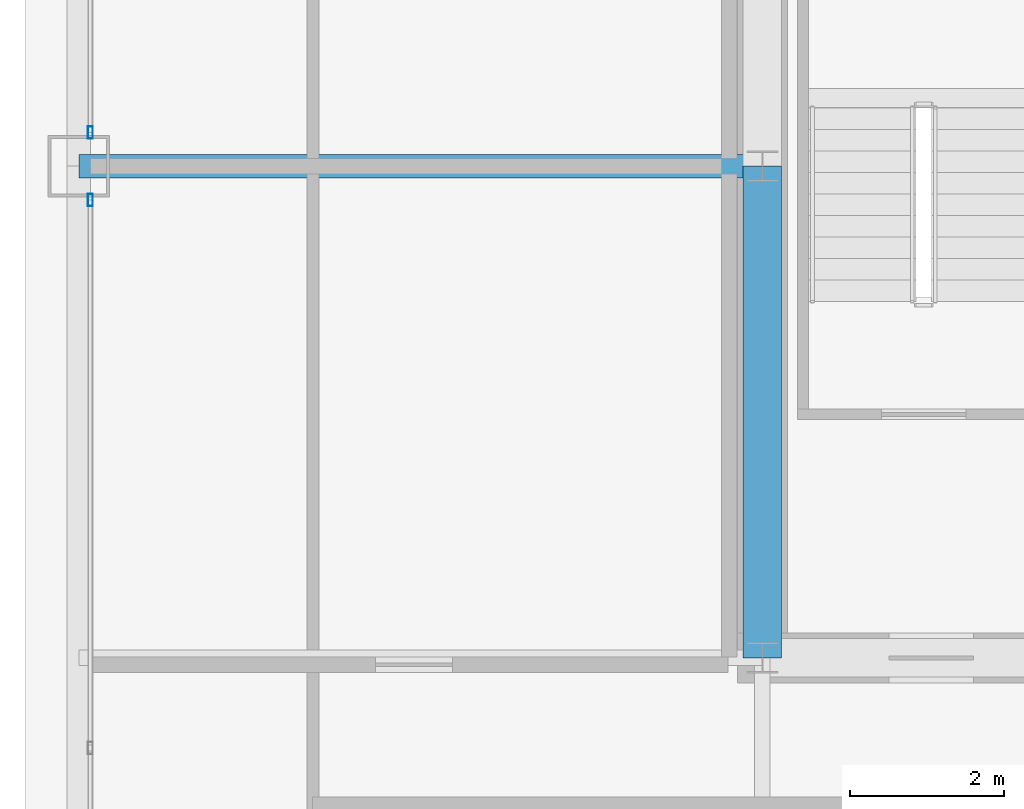
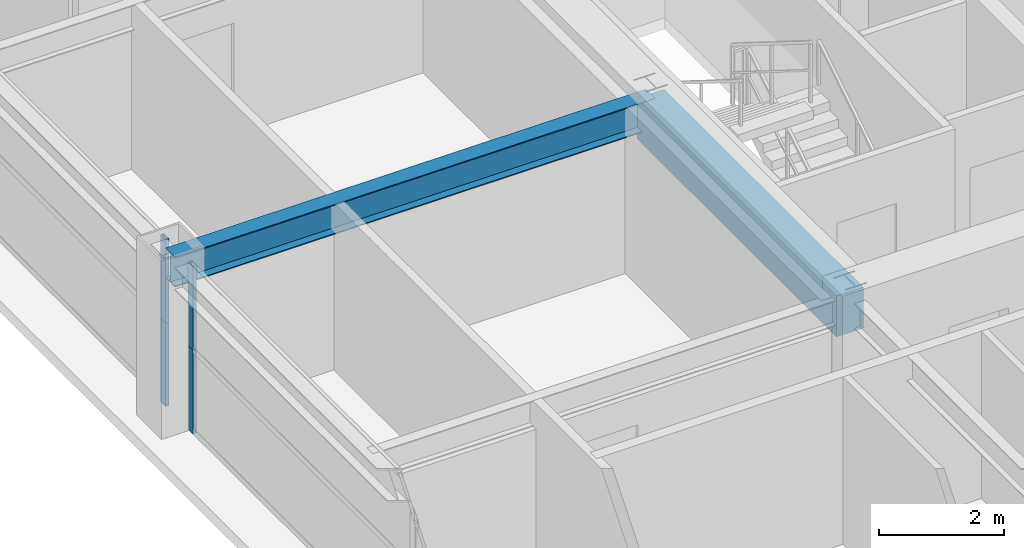
# One storey, part 12 of 38: 4 members, 2 beams, 2 elements without a shape of their own.
"""IFC4 building model written with IfcOpenShell, lengths in metres."""

from ifc_helpers import new_model, si_unit, direction, frame, origin, origin_2d, place, context, subcontext, project, spatial, rectangle, hollow_rectangle, i_section, extrude, source, transform, mapped, material, layer, layer_set, material_profile, profile_set, type_object, element, aggregate, save


model = new_model("IFC4")

# Units and contexts
model_context = context("Model", 3, precision=1e-05, world=origin(), true_north=direction((0.0, 1.0)))
body_context = subcontext(model_context, "Body", "Model", "MODEL_VIEW")
ifc_project = project(units=[si_unit("LENGTHUNIT", "METRE"), si_unit("AREAUNIT", "SQUARE_METRE"), si_unit("VOLUMEUNIT", "CUBIC_METRE"), si_unit("PLANEANGLEUNIT", "RADIAN"), si_unit("MASSUNIT", "GRAM", prefix="KILO"), si_unit("THERMODYNAMICTEMPERATUREUNIT", "KELVIN"), si_unit("POWERUNIT", "WATT")], contexts=[model_context])

# Site, building, storey
site_placement = place(None, origin())
site = spatial("IfcSite", under=ifc_project, at=site_placement, CompositionType="ELEMENT")
building_placement = place(site_placement, origin())
building = spatial("IfcBuilding", under=site, at=building_placement, Name="Yuzanri Waterfront Tower", CompositionType="ELEMENT")
storey_placement = place(building_placement, frame((0.0, 0.0, 195.0)))
storey = spatial("IfcBuildingStorey", under=building, at=storey_placement, Name="L51", CompositionType="ELEMENT", Elevation=195.0)

# Beams
ifc_material_1 = material(Name="Steel Q355B", Category="steel")
ifc_material_profile_1 = material_profile(ifc_material_1, i_section(OverallWidth=0.300048828125, OverallDepth=0.587890625, WebThickness=0.011962890625, FlangeThickness=0.02001953125, at=origin_2d()), Name="HM 588x300x12x20")
ifc_profile_set_1 = profile_set([ifc_material_profile_1], Name="Steel Q355B")
beam_type_1 = type_object("IfcBeamType", Name="Primary Floor Girder Q355B HM 588x300", PredefinedType="BEAM", material=ifc_profile_set_1)
shared_shape_1 = source(origin(), body_context, "Body", "SweptSolid", [
    extrude(i_section(OverallWidth=0.300048828125, OverallDepth=0.587890625, WebThickness=0.011962890625, FlangeThickness=0.02001953125, at=origin_2d()), origin(), (0.0, 0.0, 1.0), 8.900146484375),
])
beam_1_placement = place(storey_placement, frame((23.800048828125, 25.800048828125, 2.986083984375), z_axis=(-1.0, 0.0, 0.0), x_axis=(0.0, -1.0, 0.0)))
element("IfcBeam", 1, at=beam_1_placement, inside=storey, type_object=beam_type_1, Name="L51 West Grid Girder", PredefinedType="BEAM", context=body_context, shape_type="MappedRepresentation", body=[
    mapped(shared_shape_1, transform((0.0, 0.0, 0.0), scale=1.0)),
])
ifc_material_2 = material(Name="Concrete C50", Category="concrete")
ifc_material_profile_2 = material_profile(ifc_material_2, rectangle(XDim=0.5, YDim=0.800048828125, at=origin_2d()), Name="RC 500x800")
ifc_profile_set_2 = profile_set([ifc_material_profile_2], Name="Concrete C50")
beam_type_2 = type_object("IfcBeamType", Name="Core Coupling Lintel Concrete C50 500x800", PredefinedType="LINTEL", material=ifc_profile_set_2)
shared_shape_2 = source(origin(), body_context, "Body", "SweptSolid", [
    extrude(rectangle(XDim=0.5, YDim=0.800048828125, at=origin_2d()), origin(), (0.0, 0.0, 1.0), 6.400146484375),
])
beam_2_placement = place(storey_placement, frame((23.800048828125, 19.39990234375, 2.8798828125), z_axis=(0.0, 1.0, 0.0), x_axis=(-1.0, 0.0, 0.0)))
element("IfcBeam", 2, at=beam_2_placement, inside=storey, type_object=beam_type_2, Name="L51 Core Tie Beam CW1", PredefinedType="LINTEL", context=body_context, shape_type="MappedRepresentation", body=[
    mapped(shared_shape_2, transform((0.0, 0.0, 0.0), scale=1.0)),
])

# Curtain wall, members
ifc_material_3 = material(Name="Anodized Architectural Bronze", Category="metal")
ifc_layer = layer(ifc_material_3, 0.159912109375)
ifc_layer_set = layer_set([ifc_layer], Name="Anodized Architectural Bronze")
curtain_wall_type = type_object("IfcCurtainWallType", Name="Anodized Bronze Mid-Rise Residential Acoustic Unitized Curtain Wall 7200", PredefinedType="NOTDEFINED", material=ifc_layer_set)
curtain_wall_1_placement = place(storey_placement, origin())
curtain_wall_1 = element("IfcCurtainWall", 3, at=curtain_wall_1_placement, inside=storey, type_object=curtain_wall_type, Name="L51 Curtain Wall CW-L51-WL", PredefinedType="NOTDEFINED")
ifc_material_4 = material(Name="Anodized Architectural Bronze", Category="metal")
ifc_material_profile_3 = material_profile(ifc_material_4, hollow_rectangle(XDim=0.06494140625, YDim=0.159912109375, WallThickness=0.00341796875, at=origin_2d()), Name="CWM 65x160")
ifc_profile_set_3 = profile_set([ifc_material_profile_3], Name="Anodized Architectural Bronze")
member_type = type_object("IfcMemberType", Name="Anodized Bronze Upper-Zone Curtain-Wall Mullion 65x160", PredefinedType="MULLION", material=ifc_profile_set_3)
shared_shape_3 = source(origin(), body_context, "Body", "SweptSolid", [
    extrude(hollow_rectangle(XDim=0.06494140625, YDim=0.159912109375, WallThickness=0.00341796875, at=origin_2d()), origin(), (0.0, 0.0, 1.0), 1.637939453125),
])
member_1_placement = place(storey_placement, frame((15.050048828125, 25.360107421875, 0.0), z_axis=(0.0, 0.0, 1.0), x_axis=(1.0, 0.0, 0.0)))
member_1 = element("IfcMember", 4, at=member_1_placement, type_object=member_type, Name="CW-L51-WL Lower Mullion 02", PredefinedType="MULLION", context=body_context, shape_type="MappedRepresentation", body=[
    mapped(shared_shape_3, transform((0.0, 0.0, 0.0), scale=1.0)),
])
member_2_placement = place(storey_placement, frame((15.050048828125, 25.360107421875, 1.64208984375), z_axis=(0.0, 0.0, 1.0), x_axis=(1.0, 0.0, 0.0)))
member_2 = element("IfcMember", 5, at=member_2_placement, type_object=member_type, Name="CW-L51-WL Upper Mullion 02", PredefinedType="MULLION", context=body_context, shape_type="MappedRepresentation", body=[
    mapped(shared_shape_3, transform((0.0, 0.0, 0.0), scale=1.0)),
])
aggregate(curtain_wall_1, [member_1, member_2])

curtain_wall_2_placement = place(storey_placement, origin())
curtain_wall_2 = element("IfcCurtainWall", 6, at=curtain_wall_2_placement, inside=storey, type_object=curtain_wall_type, Name="L51 Curtain Wall CW-L51-WR", PredefinedType="NOTDEFINED")
member_3_placement = place(storey_placement, frame((15.050048828125, 26.239990234375, 0.0), z_axis=(0.0, 0.0, 1.0), x_axis=(1.0, 0.0, 0.0)))
member_3 = element("IfcMember", 7, at=member_3_placement, type_object=member_type, Name="CW-L51-WR Lower Mullion 00", PredefinedType="MULLION", context=body_context, shape_type="MappedRepresentation", body=[
    mapped(shared_shape_3, transform((0.0, 0.0, 0.0), scale=1.0)),
])
member_4_placement = place(storey_placement, frame((15.050048828125, 26.239990234375, 1.64208984375), z_axis=(0.0, 0.0, 1.0), x_axis=(1.0, 0.0, 0.0)))
member_4 = element("IfcMember", 8, at=member_4_placement, type_object=member_type, Name="CW-L51-WR Upper Mullion 00", PredefinedType="MULLION", context=body_context, shape_type="MappedRepresentation", body=[
    mapped(shared_shape_3, transform((0.0, 0.0, 0.0), scale=1.0)),
])
aggregate(curtain_wall_2, [member_3, member_4])

save(model, "model.ifc")
